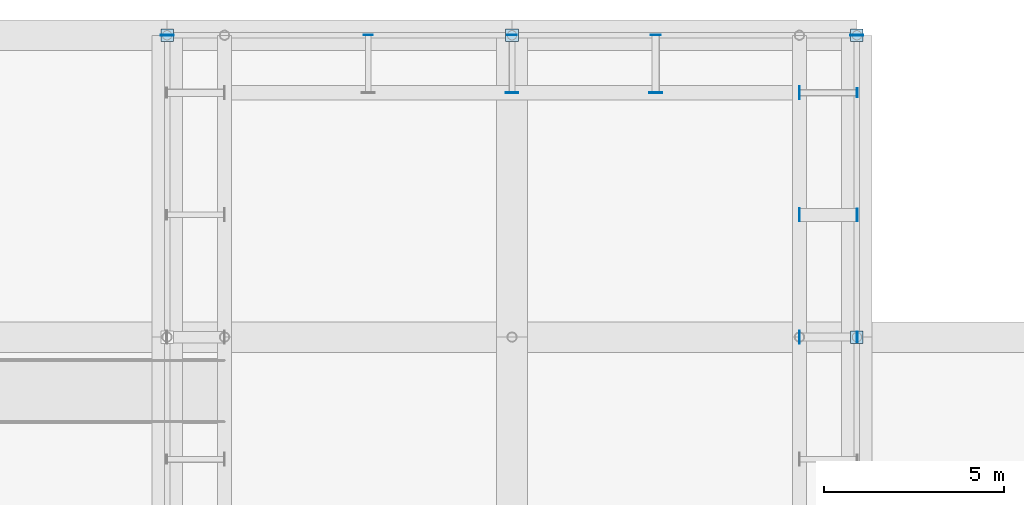
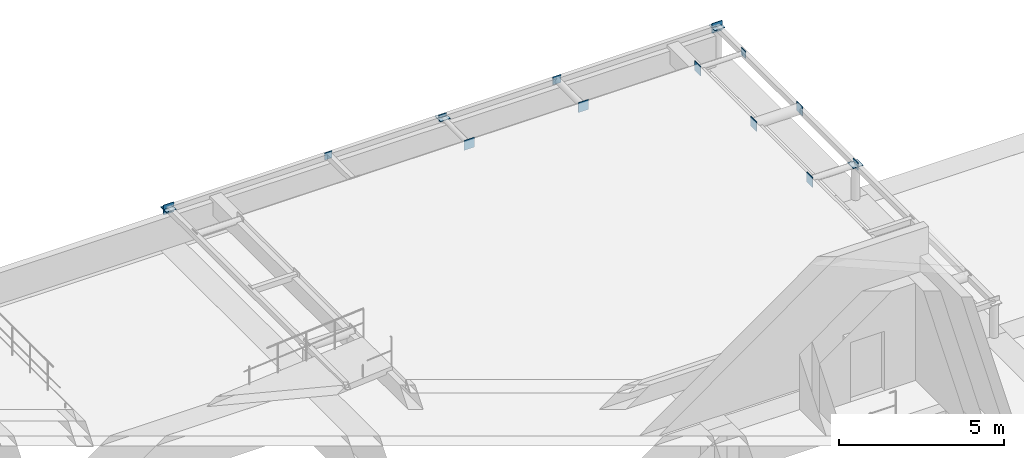
# One storey, part 6 of 8: 17 plates.
"""IFC4 building model written with IfcOpenShell, lengths in metres."""

from ifc_helpers import new_model, si_unit, direction, frame, origin, origin_2d, place, context, subcontext, project, spatial, rectangle, extrude, material, layer, layer_set, type_object, element, save


model = new_model("IFC4")

# Units and contexts
model_context = context("Model", 3, precision=1e-05, world=origin(), true_north=direction((0.0, 1.0)))
body_context = subcontext(model_context, "Body", "Model", "MODEL_VIEW")
ifc_project = project(units=[si_unit("LENGTHUNIT", "METRE"), si_unit("AREAUNIT", "SQUARE_METRE"), si_unit("VOLUMEUNIT", "CUBIC_METRE"), si_unit("PLANEANGLEUNIT", "RADIAN"), si_unit("MASSUNIT", "GRAM", prefix="KILO")], contexts=[model_context])

# Site, building, storey
site_placement = place(None, origin())
site = spatial("IfcSite", under=ifc_project, at=site_placement, CompositionType="ELEMENT")
building_placement = place(site_placement, origin())
building = spatial("IfcBuilding", under=site, at=building_placement, Name="Oolite Switchyard Hospital", CompositionType="ELEMENT")
storey_placement = place(building_placement, frame((0.0, 0.0, 34.60009765625)))
storey = spatial("IfcBuildingStorey", under=building, at=storey_placement, Name="RF", CompositionType="ELEMENT", Elevation=34.60009765625)

# Plates
ifc_material = material(Name="Steel ASTM A572 Grade 50", Category="steel")
ifc_layer_1 = layer(ifc_material, 0.02001953125)
ifc_layer_set_1 = layer_set([ifc_layer_1], Name="PLT-CAP-260")
plate_type_1 = type_object("IfcPlateType", Name="PLT-CAP-260", PredefinedType="SHEET", material=ifc_layer_set_1)
for number, where, z_axis, x_axis, name in (
    (1, (188.0, 134.409912109375, 1.1201171875), (0.0, 0.0, 1.0), (1.0, 0.0, 0.0), "RF Hollow-Section End Cap Plate 161"),
    (2, (192.0, 134.409912109375, 1.1201171875), (0.0, 0.0, 1.0), (1.0, 0.0, 0.0), "RF Hollow-Section End Cap Plate 162"),
    (3, (201.610107421875, 132.800048828125, 1.1201171875), (0.0, 0.0, 1.0), (0.0, 1.0, 0.0), "RF Hollow-Section End Cap Plate 172"),
):
    element("IfcPlate", number, at=place(storey_placement, frame(where, z_axis=z_axis, x_axis=x_axis)), inside=storey, type_object=plate_type_1, Name=name, PredefinedType="SHEET", context=body_context, shape_type="SweptSolid", body=[
        extrude(rectangle(XDim=0.260009765625, YDim=0.02001953125, at=origin_2d()), origin(), (0.0, 0.0, 1.0), 0.260009765625),
    ])
ifc_layer_2 = layer(ifc_material, 0.02099609375)
ifc_layer_set_2 = layer_set([ifc_layer_2], Name="PLT-CAP-290")
plate_type_2 = type_object("IfcPlateType", Name="PLT-CAP-290", PredefinedType="SHEET", material=ifc_layer_set_2)
for number, where, z_axis, x_axis, name in (
    (4, (196.0, 134.409912109375, 1.10498046875), (0.0, 0.0, 1.0), (1.0, 0.0, 0.0), "RF Hollow-Section End Cap Plate 163"),
    (5, (201.610107421875, 126.0, 1.10498046875), (0.0, 0.0, 1.0), (0.0, 1.0, 0.0), "RF Hollow-Section End Cap Plate 168"),
):
    element("IfcPlate", number, at=place(storey_placement, frame(where, z_axis=z_axis, x_axis=x_axis)), inside=storey, type_object=plate_type_2, Name=name, PredefinedType="SHEET", context=body_context, shape_type="SweptSolid", body=[
        extrude(rectangle(XDim=0.2900390625, YDim=0.02099609375, at=origin_2d()), origin(), (0.0, 0.0, 1.0), 0.2900390625),
    ])
ifc_layer_3 = layer(ifc_material, 0.02392578125)
ifc_layer_set_3 = layer_set([ifc_layer_3], Name="PLT-CAP-350")
plate_type_3 = type_object("IfcPlateType", Name="PLT-CAP-350", PredefinedType="SHEET", material=ifc_layer_set_3)
for number, where, z_axis, x_axis, name in (
    (6, (201.60009765625, 126.0, 1.25), (0.0, 0.0, 1.0), (1.0, 0.0, 0.0), "RF Post Top Cap Plate 157"),
    (7, (182.39990234375, 134.39990234375, 1.25), (0.0, 0.0, 1.0), (1.0, 0.0, 0.0), "RF Post Top Cap Plate 158"),
    (8, (192.0, 134.39990234375, 1.25), (0.0, 0.0, 1.0), (1.0, 0.0, 0.0), "RF Post Top Cap Plate 159"),
    (9, (201.60009765625, 134.39990234375, 1.25), (0.0, 0.0, 1.0), (1.0, 0.0, 0.0), "RF Post Top Cap Plate 160"),
):
    element("IfcPlate", number, at=place(storey_placement, frame(where, z_axis=z_axis, x_axis=x_axis)), inside=storey, type_object=plate_type_3, Name=name, PredefinedType="SHEET", context=body_context, shape_type="SweptSolid", body=[
        extrude(rectangle(XDim=0.35009765625, YDim=0.35009765625, at=origin_2d()), origin(), (0.0, 0.0, 1.0), 0.02392578125),
    ])
plate_placement = place(storey_placement, frame((201.612060546875, 129.39990234375, 1.074951171875), z_axis=(0.0, 0.0, 1.0), x_axis=(0.0, 1.0, 0.0)))
element("IfcPlate", 10, at=plate_placement, inside=storey, type_object=plate_type_3, Name="RF Hollow-Section End Cap Plate 170", PredefinedType="SHEET", context=body_context, shape_type="SweptSolid", body=[
    extrude(rectangle(XDim=0.35009765625, YDim=0.02392578125, at=origin_2d()), origin(), (0.0, 0.0, 1.0), 0.35009765625),
])
ifc_layer_4 = layer(ifc_material, 0.02392578125)
ifc_layer_set_4 = layer_set([ifc_layer_4], Name="PLT-GUS-360")
plate_type_4 = type_object("IfcPlateType", Name="PLT-GUS-360", PredefinedType="SHEET", material=ifc_layer_set_4)
for number, where, z_axis, x_axis, name in (
    (11, (182.39990234375, 134.39990234375, 1.06982421875), (0.0, 0.0, 1.0), (1.0, 0.0, 0.0), "RF Safety-Net Gusset Connection Plate 176"),
    (12, (192.0, 132.800048828125, 1.06982421875), (0.0, 0.0, 1.0), (1.0, 0.0, 0.0), "RF Safety-Net Gusset Connection Plate 183"),
    (13, (196.0, 132.800048828125, 1.06982421875), (0.0, 0.0, 1.0), (1.0, 0.0, 0.0), "RF Safety-Net Gusset Connection Plate 184"),
    (14, (200.0, 126.0, 1.06982421875), (0.0, 0.0, 1.0), (0.0, 1.0, 0.0), "RF Safety-Net Gusset Connection Plate 187"),
    (15, (200.0, 129.39990234375, 1.06982421875), (0.0, 0.0, 1.0), (0.0, 1.0, 0.0), "RF Safety-Net Gusset Connection Plate 188"),
    (16, (200.0, 132.800048828125, 1.06982421875), (0.0, 0.0, 1.0), (0.0, 1.0, 0.0), "RF Safety-Net Gusset Connection Plate 189"),
    (17, (201.60009765625, 134.39990234375, 1.06982421875), (0.0, 0.0, 1.0), (1.0, 0.0, 0.0), "RF Safety-Net Gusset Connection Plate 191"),
):
    element("IfcPlate", number, at=place(storey_placement, frame(where, z_axis=z_axis, x_axis=x_axis)), inside=storey, type_object=plate_type_4, Name=name, PredefinedType="SHEET", context=body_context, shape_type="SweptSolid", body=[
        extrude(rectangle(XDim=0.360107421875, YDim=0.02392578125, at=origin_2d()), origin(), (0.0, 0.0, 1.0), 0.360107421875),
    ])

save(model, "model.ifc")
